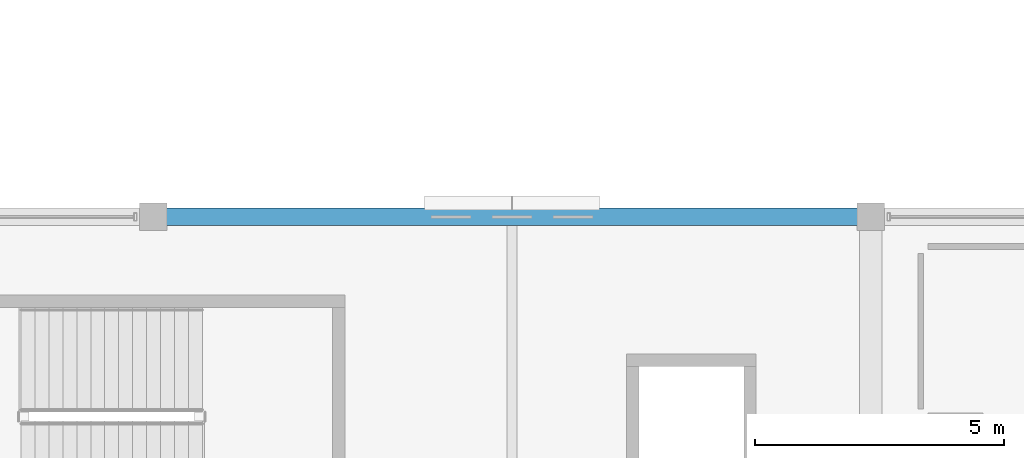
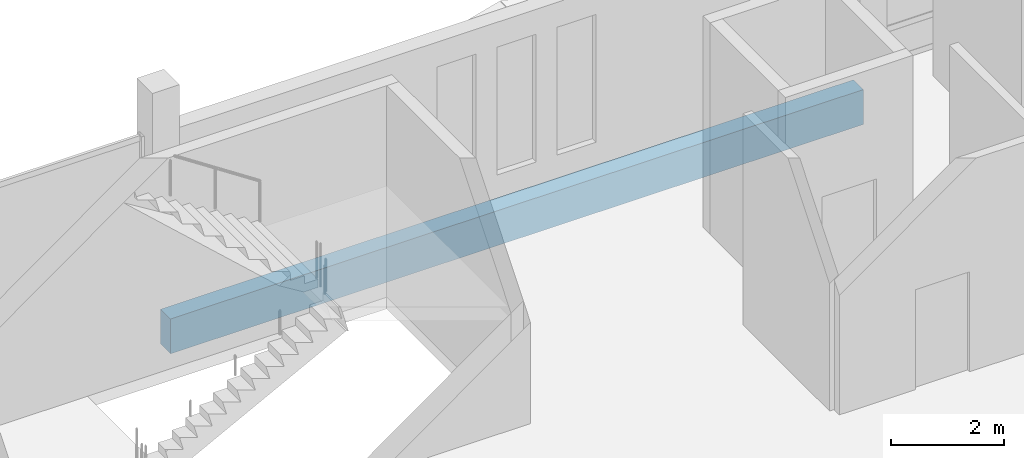
# One storey, part 16 of 116: 1 beam.
"""IFC4 building model written with IfcOpenShell, lengths in metres."""

from ifc_helpers import new_model, si_unit, direction, frame, origin, origin_2d, place, context, subcontext, project, spatial, rectangle, extrude, material, material_profile, profile_set, type_object, element, save


model = new_model("IFC4")

# Units and contexts
model_context = context("Model", 3, precision=1e-05, world=origin(), true_north=direction((0.0, 1.0)))
body_context = subcontext(model_context, "Body", "Model", "MODEL_VIEW")
ifc_project = project(units=[si_unit("LENGTHUNIT", "METRE"), si_unit("AREAUNIT", "SQUARE_METRE"), si_unit("VOLUMEUNIT", "CUBIC_METRE"), si_unit("PLANEANGLEUNIT", "RADIAN"), si_unit("MASSUNIT", "GRAM", prefix="KILO")], contexts=[model_context])

# Site, building, storey
site_placement = place(None, origin())
site = spatial("IfcSite", under=ifc_project, at=site_placement, CompositionType="ELEMENT")
building_placement = place(site_placement, origin())
building = spatial("IfcBuilding", under=site, at=building_placement, Name="Cendralis Lancet Convention Centre", CompositionType="ELEMENT")
storey_placement = place(building_placement, frame((0.0, 0.0, 15.0)))
storey = spatial("IfcBuildingStorey", under=building, at=storey_placement, Name="L03", CompositionType="ELEMENT", Elevation=15.0)

# Beam
ifc_material = material(Name="Concrete G40 (C40/50)", Category="concrete")
ifc_material_profile = material_profile(ifc_material, rectangle(XDim=0.35009765625, YDim=0.75, at=origin_2d()), Name="RCB 350x750")
ifc_profile_set = profile_set([ifc_material_profile], Name="Concrete G40 (C40/50)")
beam_type = type_object("IfcBeamType", Name="STR-SP-SP01", PredefinedType="SPANDREL", material=ifc_profile_set)
beam_placement = place(storey_placement, frame((28.949951171875, 36.0, -0.635009765625), z_axis=(1.0, 0.0, 0.0), x_axis=(0.0, 1.0, 0.0)))
element("IfcBeam", 1, at=beam_placement, inside=storey, type_object=beam_type, Name="L03 Beam SP01 #0924", PredefinedType="SPANDREL", context=body_context, shape_type="SweptSolid", body=[
    extrude(rectangle(XDim=0.35009765625, YDim=0.75, at=origin_2d()), origin(), (0.0, 0.0, 1.0), 14.10009765625),
])

save(model, "model.ifc")
